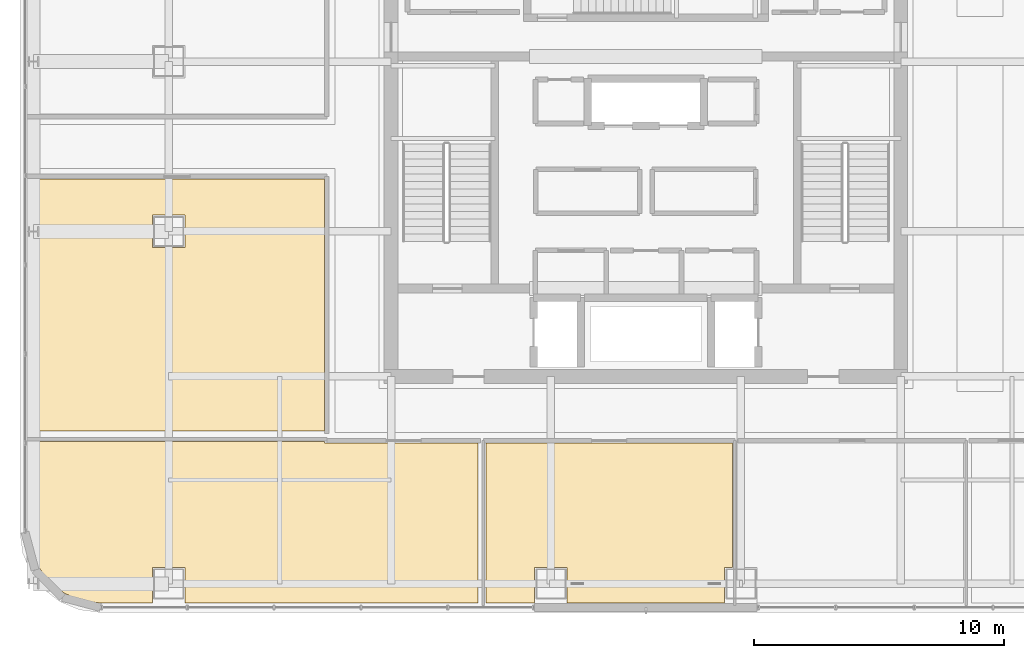
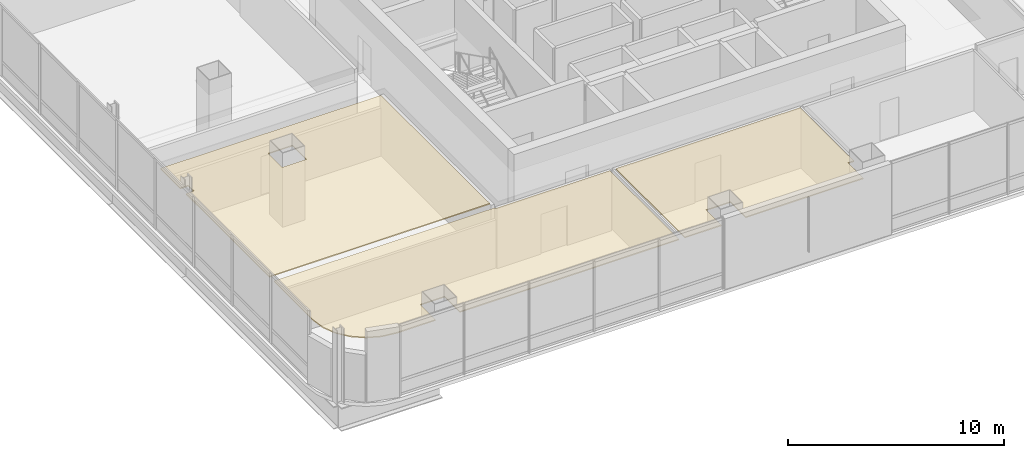
# One storey, part 36 of 43: 3 coverings.
"""IFC4 building model written with IfcOpenShell, lengths in metres."""

from ifc_helpers import new_model, si_unit, direction, frame, origin, place, context, subcontext, project, spatial, polyline, outline, extrude, material, layer, layer_set, type_object, element, save


model = new_model("IFC4")

# Units and contexts
model_context = context("Model", 3, precision=1e-05, world=origin(), true_north=direction((0.0, 1.0)))
body_context = subcontext(model_context, "Body", "Model", "MODEL_VIEW")
ifc_project = project(units=[si_unit("LENGTHUNIT", "METRE"), si_unit("AREAUNIT", "SQUARE_METRE"), si_unit("VOLUMEUNIT", "CUBIC_METRE"), si_unit("PLANEANGLEUNIT", "RADIAN"), si_unit("MASSUNIT", "GRAM", prefix="KILO")], contexts=[model_context])

# Site, building, storey
site_placement = place(None, origin())
site = spatial("IfcSite", under=ifc_project, at=site_placement, CompositionType="ELEMENT")
building_placement = place(site_placement, origin())
building = spatial("IfcBuilding", under=site, at=building_placement, Name="Punatoya Terracotta Tower", CompositionType="ELEMENT")
storey_placement = place(building_placement, frame((0.0, 0.0, 300.60009765625)))
storey = spatial("IfcBuildingStorey", under=building, at=storey_placement, Name="L71", CompositionType="ELEMENT", Elevation=300.60009765625)

# Coverings
ifc_material = material(Name="Acoustic Mineral Fibre Ceiling")
ifc_layer = layer(ifc_material, 0.06005859375)
ifc_layer_set = layer_set([ifc_layer], Name="Acoustic Mineral Fibre Ceiling")
covering_type = type_object("IfcCoveringType", Name="COV-CEIL-60", PredefinedType="CEILING", material=ifc_layer_set)
covering_1_placement = place(storey_placement, frame((0.0, 0.0, 3.389892578125)))
element("IfcCovering", 1, at=covering_1_placement, inside=storey, type_object=covering_type, Name="L71 Open-Plan Plenary Seminar Room Acoustic Ceiling", PredefinedType="CEILING", context=body_context, shape_type="SweptSolid", body=[
    extrude(outline(polyline([(-4.449951171875, -18.27001953125), (-4.449951171875, -16.85009765625), (-3.14990234375, -16.85009765625), (-3.14990234375, -18.27001953125), (3.14990234375, -18.27001953125), (3.14990234375, -16.85009765625), (3.458984375, -16.85009765625), (3.458984375, -11.8701171875), (-6.406982421875, -11.8701171875), (-6.406982421875, -18.27001953125), (-4.449951171875, -18.27001953125)])), origin(), (0.0, 0.0, 1.0), 0.06005859375),
])
covering_2_placement = place(storey_placement, frame((0.0, 0.0, 3.389892578125)))
element("IfcCovering", 2, at=covering_2_placement, inside=storey, type_object=covering_type, Name="L71 Open-Plan Collaborative Workshop Room Acoustic Ceiling", PredefinedType="CEILING", context=body_context, shape_type="SweptSolid", body=[
    extrude(outline(polyline([(-21.8251953125, -18.27001953125), (-19.75, -18.27001953125), (-19.75, -16.85009765625), (-18.449951171875, -16.85009765625), (-18.449951171875, -18.27001953125), (-6.72705078125, -18.27001953125), (-6.72705078125, -11.8701171875), (-12.8701171875, -11.8701171875), (-12.8701171875, -11.81005859375), (-24.669921875, -11.81005859375), (-24.669921875, -15.425048828125), (-24.57080078125, -16.178955078125), (-24.289306640625, -16.8583984375), (-23.841796875, -17.441650390625), (-23.25830078125, -17.889404296875), (-22.5791015625, -18.1708984375), (-21.8251953125, -18.27001953125)])), origin(), (0.0, 0.0, 1.0), 0.06005859375),
])
covering_3_placement = place(storey_placement, frame((0.0, 0.0, 3.389892578125)))
element("IfcCovering", 3, at=covering_3_placement, inside=storey, type_object=covering_type, Name="L71 Open-Plan Breakout Tea Pantry Acoustic Ceiling", PredefinedType="CEILING", context=body_context, shape_type="SweptSolid", body=[
    extrude(outline(polyline([(-24.669921875, -3.657958984375), (-24.669921875, -11.389892578125), (-12.8701171875, -11.389892578125), (-12.8701171875, -1.300048828125), (-24.669921875, -1.300048828125), (-24.669921875, -3.14208984375), (-24.2470703125, -3.14208984375), (-24.2470703125, -3.657958984375), (-24.669921875, -3.657958984375)]), holes=[polyline([(-18.449951171875, -4.050048828125), (-19.75, -4.050048828125), (-19.75, -2.75), (-18.449951171875, -2.75), (-18.449951171875, -4.050048828125)])]), origin(), (0.0, 0.0, 1.0), 0.06005859375),
])

save(model, "model.ifc")
